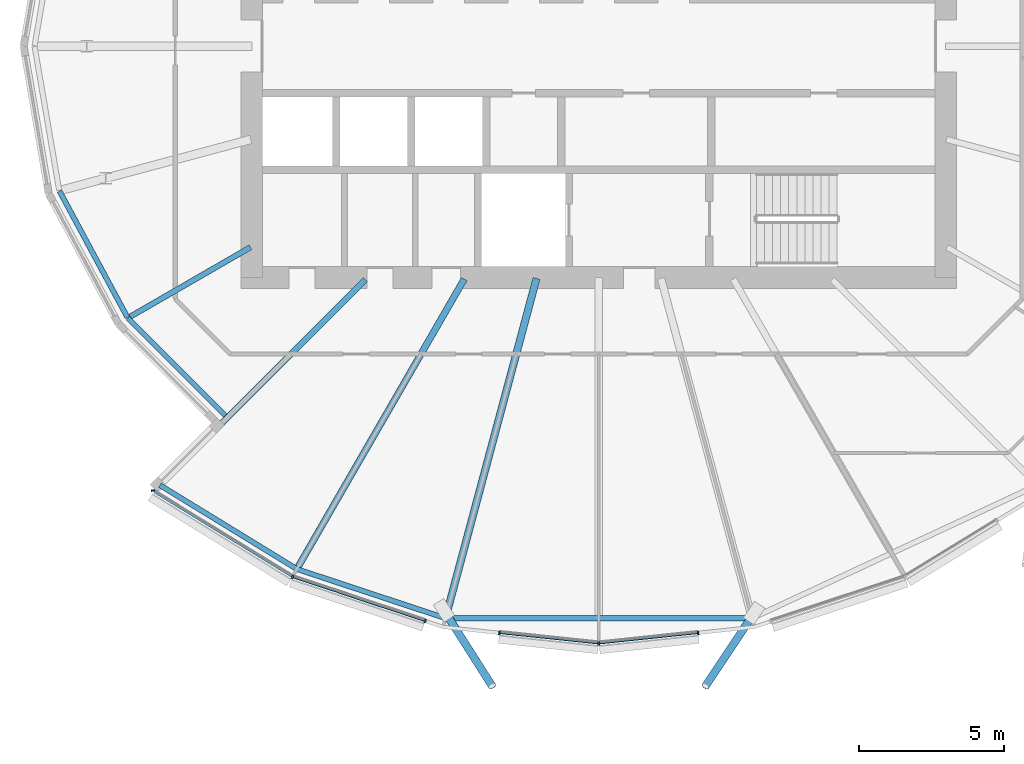
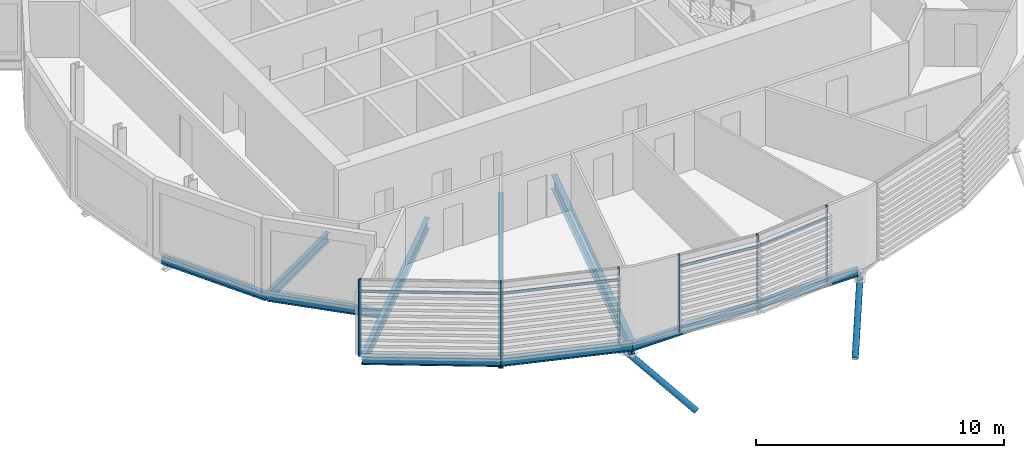
# One storey, part 3 of 38: 12 members, 9 beams, 1 element without a shape of its own.
"""IFC4 building model written with IfcOpenShell, lengths in metres."""

from ifc_helpers import new_model, si_unit, direction, frame, origin, origin_2d, place, context, subcontext, project, spatial, rectangle, hollow_circle, i_section, extrude, clip, halfspace, material, material_profile, profile_set, type_object, element, aggregate, save


model = new_model("IFC4")

# Units and contexts
model_context = context("Model", 3, precision=1e-05, world=origin(), true_north=direction((0.0, 1.0)))
body_context = subcontext(model_context, "Body", "Model", "MODEL_VIEW")
ifc_project = project(units=[si_unit("LENGTHUNIT", "METRE"), si_unit("AREAUNIT", "SQUARE_METRE"), si_unit("VOLUMEUNIT", "CUBIC_METRE"), si_unit("PLANEANGLEUNIT", "RADIAN"), si_unit("MASSUNIT", "GRAM", prefix="KILO")], contexts=[model_context])

# Site, building, storey
site_placement = place(None, origin())
site = spatial("IfcSite", under=ifc_project, at=site_placement, CompositionType="ELEMENT")
building_placement = place(site_placement, origin())
building = spatial("IfcBuilding", under=site, at=building_placement, Name="Rimbun Link Towers", CompositionType="ELEMENT")
storey_placement = place(building_placement, frame((0.0, 0.0, 123.39990234375)))
storey = spatial("IfcBuildingStorey", under=building, at=storey_placement, Name="L30", CompositionType="ELEMENT", Elevation=123.39990234375)

# Curtain wall, members
ifc_material_1 = material(Name="Aluminium 6063-T6 and low-iron glass", Category="aluminium")
curtain_wall_type = type_object("IfcCurtainWallType", Name="CW1-Z2 unitised vision wall (zone 2)", PredefinedType="NOTDEFINED", material=ifc_material_1)
curtain_wall_placement = place(storey_placement, origin())
curtain_wall = element("IfcCurtainWall", 1, at=curtain_wall_placement, inside=storey, type_object=curtain_wall_type, Name="CW1 L30 T1", PredefinedType="NOTDEFINED")
ifc_material_2 = material(Name="Aluminium 6063-T6", Category="aluminium")
ifc_material_profile_1 = material_profile(ifc_material_2, rectangle(XDim=0.1201171875, YDim=0.06005859375, at=origin_2d()), Name="MULLION 60X120")
ifc_profile_set_1 = profile_set([ifc_material_profile_1], Name="Aluminium 6063-T6")
member_type_1 = type_object("IfcMemberType", Name="CW1 mullion 60X120", PredefinedType="MULLION", material=ifc_profile_set_1)
member_1_placement = place(storey_placement, frame((-42.34619140625, -18.364013671875, 0.0), z_axis=(0.0, 0.0, 1.0), x_axis=(-0.421704717158, -0.9067332196, 0.0)))
member_1 = element("IfcMember", 2, at=member_1_placement, type_object=member_type_1, Name="CW1 mullion", PredefinedType="MULLION", context=body_context, shape_type="SweptSolid", body=[
    extrude(rectangle(XDim=0.1201171875, YDim=0.06005859375, at=origin_2d()), origin(), (0.0, 0.0, 1.0), 3.800048828125),
])
member_2_placement = place(storey_placement, frame((-47.17529296875, -15.37255859375, 0.0), z_axis=(0.0, 0.0, 1.0), x_axis=(-0.993119709488, -0.117103555137, 0.0)))
member_2 = element("IfcMember", 3, at=member_2_placement, type_object=member_type_1, Name="CW1 mullion", PredefinedType="MULLION", context=body_context, shape_type="SweptSolid", body=[
    extrude(rectangle(XDim=0.1201171875, YDim=0.06005859375, at=origin_2d()), origin(), (0.0, 0.0, 1.0), 3.800048828125),
])
member_3_placement = place(storey_placement, frame((-37.75390625, -19.88623046875, 0.0), z_axis=(0.0, 0.0, 1.0), x_axis=(-0.314563424855, -0.949236457235, 0.0)))
member_3 = element("IfcMember", 4, at=member_3_placement, type_object=member_type_1, Name="CW1 mullion", PredefinedType="MULLION", context=body_context, shape_type="SweptSolid", body=[
    extrude(rectangle(XDim=0.1201171875, YDim=0.06005859375, at=origin_2d()), origin(), (0.0, 0.0, 1.0), 3.800048828125),
])
member_4_placement = place(storey_placement, frame((-31.75, -20.6591796875, 0.0), z_axis=(0.0, 0.0, 1.0), x_axis=(0.0, -1.0, 0.0)))
member_4 = element("IfcMember", 5, at=member_4_placement, type_object=member_type_1, Name="CW1 mullion", PredefinedType="MULLION", context=body_context, shape_type="SweptSolid", body=[
    extrude(rectangle(XDim=0.1201171875, YDim=0.06005859375, at=origin_2d()), origin(), (0.0, 0.0, 1.0), 3.800048828125),
])
member_5_placement = place(storey_placement, frame((-35.18505859375, -20.297607421875, 0.0), z_axis=(0.0, 0.0, 1.0), x_axis=(-0.104748434017, -0.994498750915, 0.0)))
member_5 = element("IfcMember", 6, at=member_5_placement, type_object=member_type_1, Name="CW1 mullion", PredefinedType="MULLION", context=body_context, shape_type="SweptSolid", body=[
    extrude(rectangle(XDim=0.1201171875, YDim=0.06005859375, at=origin_2d()), origin(), (0.0, 0.0, 1.0), 3.800048828125),
])
member_6_placement = place(storey_placement, frame((-28.31494140625, -20.297607421875, 0.0), z_axis=(0.0, 0.0, 1.0), x_axis=(0.104748434017, -0.994498750915, 0.0)))
member_6 = element("IfcMember", 7, at=member_6_placement, type_object=member_type_1, Name="CW1 mullion", PredefinedType="MULLION", context=body_context, shape_type="SweptSolid", body=[
    extrude(rectangle(XDim=0.1201171875, YDim=0.06005859375, at=origin_2d()), origin(), (0.0, 0.0, 1.0), 3.800048828125),
])
ifc_material_3 = material(Name="Aluminium 6063-T6", Category="aluminium")
ifc_material_profile_2 = material_profile(ifc_material_3, rectangle(XDim=0.06005859375, YDim=0.1201171875, at=origin_2d()), Name="TRANSOM 60X120")
ifc_profile_set_2 = profile_set([ifc_material_profile_2], Name="Aluminium 6063-T6")
member_type_2 = type_object("IfcMemberType", Name="CW1 transom 60X120", PredefinedType="USERDEFINED", material=ifc_profile_set_2)
member_7_placement = place(storey_placement, frame((-42.376953125, -18.34326171875, 3.2001953125), z_axis=(-0.852172941328, 0.523260239335, 0.0), x_axis=(-0.523260239335, -0.852172941328, 0.0)))
member_7 = element("IfcMember", 8, at=member_7_placement, type_object=member_type_2, Name="CW1 transom", ObjectType="TRANSOM", PredefinedType="USERDEFINED", context=body_context, shape_type="SweptSolid", body=[
    extrude(rectangle(XDim=0.06005859375, YDim=0.1201171875, at=origin_2d()), origin(), (0.0, 0.0, 1.0), 5.566162109375),
])
member_8_placement = place(storey_placement, frame((-37.78173828125, -19.874755859375, 3.2001953125), z_axis=(-0.949244659323, 0.314538672894, 0.0), x_axis=(-0.314538672894, -0.949244659323, 0.0)))
member_8 = element("IfcMember", 9, at=member_8_placement, type_object=member_type_2, Name="CW1 transom", ObjectType="TRANSOM", PredefinedType="USERDEFINED", context=body_context, shape_type="SweptSolid", body=[
    extrude(rectangle(XDim=0.06005859375, YDim=0.1201171875, at=origin_2d()), origin(), (0.0, 0.0, 1.0), 4.771240234375),
])
member_9_placement = place(storey_placement, frame((-31.785888671875, -20.653564453125, 3.2001953125), z_axis=(-0.994502688422, 0.104711043933, 0.0), x_axis=(-0.104711043933, -0.994502688422, 0.0)))
member_9 = element("IfcMember", 10, at=member_9_placement, type_object=member_type_2, Name="CW1 transom", ObjectType="TRANSOM", PredefinedType="USERDEFINED", context=body_context, shape_type="SweptSolid", body=[
    extrude(rectangle(XDim=0.06005859375, YDim=0.1201171875, at=origin_2d()), origin(), (0.0, 0.0, 1.0), 3.3876953125),
])
member_10_placement = place(storey_placement, frame((-28.344970703125, -20.298828125, 3.2001953125), z_axis=(-0.994502688422, -0.104711043933, 0.0), x_axis=(0.104711043933, -0.994502688422, 0.0)))
member_10 = element("IfcMember", 11, at=member_10_placement, type_object=member_type_2, Name="CW1 transom", ObjectType="TRANSOM", PredefinedType="USERDEFINED", context=body_context, shape_type="SweptSolid", body=[
    extrude(rectangle(XDim=0.06005859375, YDim=0.1201171875, at=origin_2d()), origin(), (0.0, 0.0, 1.0), 3.3876953125),
])
aggregate(curtain_wall, [member_1, member_2, member_3, member_4, member_5, member_6, member_7, member_8, member_9, member_10])

# Members
ifc_material_4 = material(Name="Steel S355J2H", Category="steel")
ifc_material_profile_3 = material_profile(ifc_material_4, hollow_circle(Radius=0.136474609375, WallThickness=0.012451171875, at=origin_2d()), Name="CHS 273x12.5")
ifc_profile_set_3 = profile_set([ifc_material_profile_3], Name="Steel S355J2H")
member_type_3 = type_object("IfcMemberType", Name="Floor edge link CHS 273x12.5", PredefinedType="BRACE", material=ifc_profile_set_3)
member_11_placement = place(storey_placement, frame((-37.01611328125, -19.65380859375, -0.961181640625), z_axis=(0.462471409462, -0.726934114426, -0.507628790272), x_axis=(0.843726158432, 0.536773853292, 0.0)))
element("IfcMember", 12, at=member_11_placement, inside=storey, type_object=member_type_3, Name="Floor edge link T1 L30 17", PredefinedType="BRACE", context=body_context, shape_type="Clipping", body=[
    clip(extrude(hollow_circle(Radius=0.136474609375, WallThickness=0.012451171875, at=origin_2d()), frame((0.0, 0.0, -0.483154296875)), (0.0, 0.0, 1.0), 3.910888671875), halfspace(frame((0.0, 0.0, -0.22802734375), z_axis=(0.0, 0.861575888292, -0.507628790272)), False)),
])
member_12_placement = place(storey_placement, frame((-26.46044921875, -19.740966796875, -0.96044921875), z_axis=(-0.475000020344, -0.713765443874, -0.514697845152), x_axis=(0.832504145229, -0.554018815724, 0.0)))
element("IfcMember", 13, at=member_12_placement, inside=storey, type_object=member_type_3, Name="Floor edge link T1 L30 19", PredefinedType="BRACE", context=body_context, shape_type="Clipping", body=[
    clip(extrude(hollow_circle(Radius=0.136474609375, WallThickness=0.012451171875, at=origin_2d()), frame((0.0, 0.0, -0.47412109375)), (0.0, 0.0, 1.0), 3.8505859375), halfspace(frame((0.0, 0.0, -0.2236328125), z_axis=(0.0, 0.857371639486, -0.514697845152)), False)),
])

# Beams
ifc_material_5 = material(Name="Steel S355J2", Category="steel")
ifc_material_profile_4 = material_profile(ifc_material_5, i_section(OverallWidth=0.177978515625, OverallDepth=0.406494140625, WebThickness=0.0078125, FlangeThickness=0.0126953125, at=origin_2d()), Name="UB 406x178x60")
ifc_profile_set_4 = profile_set([ifc_material_profile_4], Name="Steel S355J2")
beam_type_1 = type_object("IfcBeamType", Name="UB 406x178x60", PredefinedType="BEAM", material=ifc_profile_set_4)
beam_1_placement = place(storey_placement, frame((-50.404296875, -5.01416015625, -0.363037109375), z_axis=(0.473798255027, -0.880633416089, 0.0), x_axis=(0.880633416089, 0.473798255027, 0.0)))
element("IfcBeam", 14, at=beam_1_placement, inside=storey, type_object=beam_type_1, Name="Edge beam T1 L30 13 recess", PredefinedType="BEAM", context=body_context, shape_type="SweptSolid", body=[
    extrude(i_section(OverallWidth=0.177978515625, OverallDepth=0.406494140625, WebThickness=0.0078125, FlangeThickness=0.0126953125, at=origin_2d()), origin(), (0.0, 0.0, 1.0), 4.972900390625),
])
beam_2_placement = place(storey_placement, frame((-48.031494140625, -9.416015625, -0.363037109375), z_axis=(0.706926826369, -0.707286690218, 0.0), x_axis=(0.707286690218, 0.706926826369, 0.0)))
element("IfcBeam", 15, at=beam_2_placement, inside=storey, type_object=beam_type_1, Name="Edge beam T1 L30 14 recess", PredefinedType="BEAM", context=body_context, shape_type="SweptSolid", body=[
    extrude(i_section(OverallWidth=0.177978515625, OverallDepth=0.406494140625, WebThickness=0.0078125, FlangeThickness=0.0126953125, at=origin_2d()), origin(), (0.0, 0.0, 1.0), 4.7490234375),
])
beam_3_placement = place(storey_placement, frame((-46.93310546875, -15.184326171875, -0.363037109375), z_axis=(0.852679673858, -0.522434085593, 0.0), x_axis=(0.522434085593, 0.852679673858, 0.0)))
element("IfcBeam", 16, at=beam_3_placement, inside=storey, type_object=beam_type_1, Name="Edge beam T1 L30 15", PredefinedType="BEAM", context=body_context, shape_type="SweptSolid", body=[
    extrude(i_section(OverallWidth=0.177978515625, OverallDepth=0.406494140625, WebThickness=0.0078125, FlangeThickness=0.0126953125, at=origin_2d()), origin(), (0.0, 0.0, 1.0), 5.54736328125),
])
beam_4_placement = place(storey_placement, frame((-42.1826171875, -18.092041015625, -0.363037109375), z_axis=(0.949399372153, -0.314071380669, 0.0), x_axis=(0.314071380669, 0.949399372153, 0.0)))
element("IfcBeam", 17, at=beam_4_placement, inside=storey, type_object=beam_type_1, Name="Edge beam T1 L30 16", PredefinedType="BEAM", context=body_context, shape_type="SweptSolid", body=[
    extrude(i_section(OverallWidth=0.177978515625, OverallDepth=0.406494140625, WebThickness=0.0078125, FlangeThickness=0.0126953125, at=origin_2d()), origin(), (0.0, 0.0, 1.0), 5.402587890625),
])
beam_5_placement = place(storey_placement, frame((-37.051513671875, -19.789306640625, -0.363037109375), z_axis=(1.0, 0.0, 0.0), x_axis=(0.0, 1.0, 0.0)))
element("IfcBeam", 18, at=beam_5_placement, inside=storey, type_object=beam_type_1, Name="Edge beam T1 L30 17-19", PredefinedType="BEAM", context=body_context, shape_type="SweptSolid", body=[
    extrude(i_section(OverallWidth=0.177978515625, OverallDepth=0.406494140625, WebThickness=0.0078125, FlangeThickness=0.0126953125, at=origin_2d()), origin(), (0.0, 0.0, 1.0), 10.4716796875),
])
ifc_material_6 = material(Name="Steel S355J2", Category="steel")
ifc_material_profile_5 = material_profile(ifc_material_6, i_section(OverallWidth=0.18994140625, OverallDepth=0.453369140625, WebThickness=0.008544921875, FlangeThickness=0.0126953125, at=origin_2d()), Name="UB 457x191x67")
ifc_profile_set_5 = profile_set([ifc_material_profile_5], Name="Steel S355J2")
beam_type_2 = type_object("IfcBeamType", Name="UB 457x191x67", PredefinedType="BEAM", material=ifc_profile_set_5)
beam_6_placement = place(storey_placement, frame((-43.79833984375, -6.9560546875, -0.38671875), z_axis=(-0.866025804792, -0.499999305434, 0.0), x_axis=(0.499999305434, -0.866025804792, 0.0)))
element("IfcBeam", 19, at=beam_6_placement, inside=storey, type_object=beam_type_2, Name="Radial beam T1 L30 14", PredefinedType="BEAM", context=body_context, shape_type="SweptSolid", body=[
    extrude(i_section(OverallWidth=0.18994140625, OverallDepth=0.453369140625, WebThickness=0.008544921875, FlangeThickness=0.0126953125, at=origin_2d()), origin(), (0.0, 0.0, 1.0), 4.80908203125),
])
ifc_material_7 = material(Name="Steel S355J2", Category="steel")
ifc_material_profile_6 = material_profile(ifc_material_7, i_section(OverallWidth=0.209228515625, OverallDepth=0.533203125, WebThickness=0.010009765625, FlangeThickness=0.015625, at=origin_2d()), Name="UB 533x210x92")
ifc_profile_set_6 = profile_set([ifc_material_profile_6], Name="Steel S355J2")
beam_type_3 = type_object("IfcBeamType", Name="UB 533x210x92", PredefinedType="BEAM", material=ifc_profile_set_6)
beam_7_placement = place(storey_placement, frame((-39.82470703125, -8.07470703125, -0.426513671875), z_axis=(-0.707106781187, -0.707106781187, 0.0), x_axis=(0.707106781187, -0.707106781187, 0.0)))
element("IfcBeam", 20, at=beam_7_placement, inside=storey, type_object=beam_type_3, Name="Radial beam T1 L30 15", PredefinedType="BEAM", context=body_context, shape_type="SweptSolid", body=[
    extrude(i_section(OverallWidth=0.209228515625, OverallDepth=0.533203125, WebThickness=0.010009765625, FlangeThickness=0.015625, at=origin_2d()), origin(), (0.0, 0.0, 1.0), 9.961181640625),
])
ifc_material_8 = material(Name="Steel S355J2", Category="steel")
ifc_material_profile_7 = material_profile(ifc_material_8, i_section(OverallWidth=0.2275390625, OverallDepth=0.6025390625, WebThickness=0.010498046875, FlangeThickness=0.014892578125, at=origin_2d()), Name="UB 610x229x101")
ifc_profile_set_7 = profile_set([ifc_material_profile_7], Name="Steel S355J2")
beam_type_4 = type_object("IfcBeamType", Name="UB 610x229x101", PredefinedType="BEAM", material=ifc_profile_set_7)
beam_8_placement = place(storey_placement, frame((-36.402099609375, -8.057861328125, -0.461181640625), z_axis=(-0.500005039288, -0.866022494331, 0.0), x_axis=(0.866022494331, -0.500005039288, 0.0)))
element("IfcBeam", 21, at=beam_8_placement, inside=storey, type_object=beam_type_4, Name="Radial beam T1 L30 16", PredefinedType="BEAM", context=body_context, shape_type="SweptSolid", body=[
    extrude(i_section(OverallWidth=0.2275390625, OverallDepth=0.6025390625, WebThickness=0.010498046875, FlangeThickness=0.014892578125, at=origin_2d()), origin(), (0.0, 0.0, 1.0), 11.4921875),
])
ifc_material_9 = material(Name="Steel S355J2", Category="steel")
ifc_material_profile_8 = material_profile(ifc_material_9, i_section(OverallWidth=0.253662109375, OverallDepth=0.68359375, WebThickness=0.012451171875, FlangeThickness=0.01904296875, at=origin_2d()), Name="UB 686x254x140")
ifc_profile_set_8 = profile_set([ifc_material_profile_8], Name="Steel S355J2")
beam_type_5 = type_object("IfcBeamType", Name="UB 686x254x140", PredefinedType="BEAM", material=ifc_profile_set_8)
beam_9_placement = place(storey_placement, frame((-33.902587890625, -8.03369140625, -0.501708984375), z_axis=(-0.25883104329, -0.965922611305, 0.0), x_axis=(0.965922611305, -0.25883104329, 0.0)))
element("IfcBeam", 22, at=beam_9_placement, inside=storey, type_object=beam_type_5, Name="Radial beam T1 L30 17", PredefinedType="BEAM", context=body_context, shape_type="SweptSolid", body=[
    extrude(i_section(OverallWidth=0.253662109375, OverallDepth=0.68359375, WebThickness=0.012451171875, FlangeThickness=0.01904296875, at=origin_2d()), origin(), (0.0, 0.0, 1.0), 12.080078125),
])

save(model, "model.ifc")
